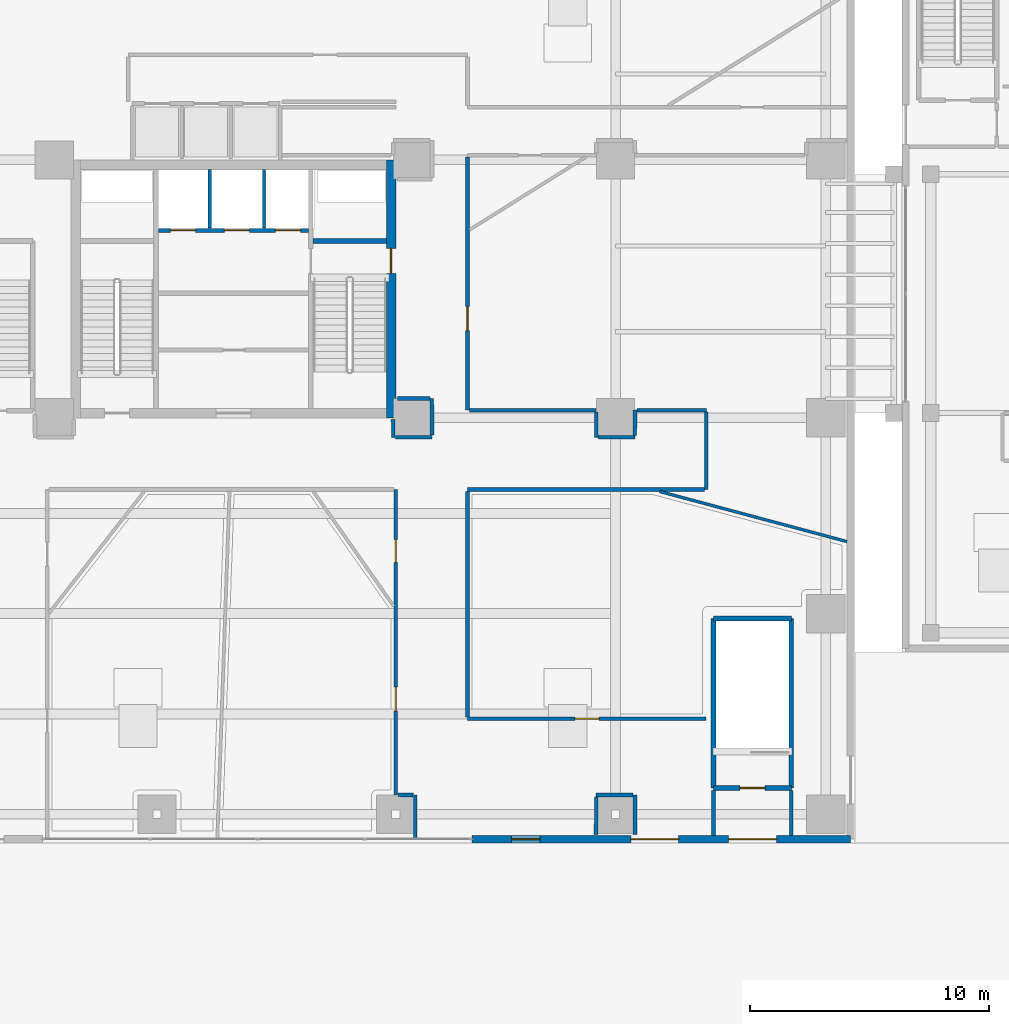
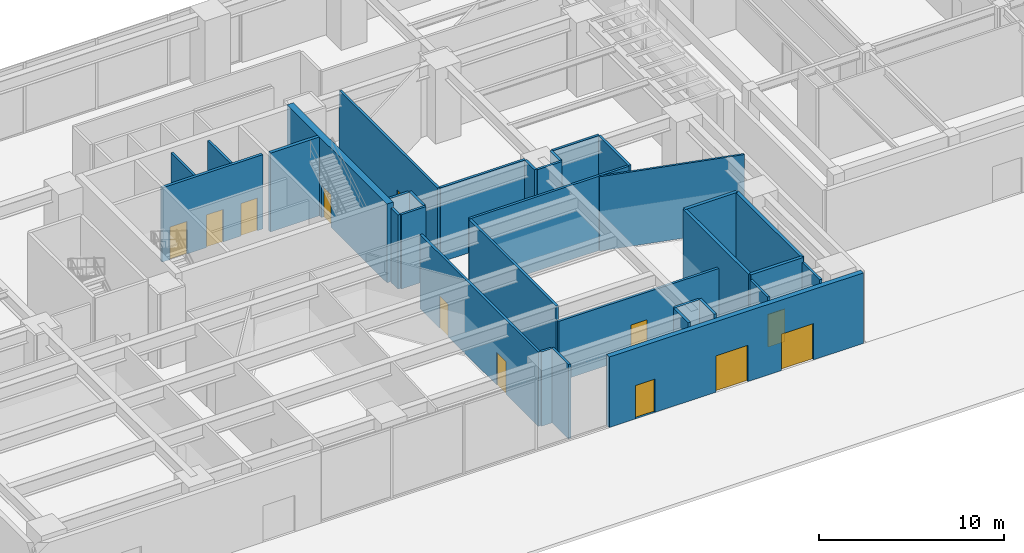
# One storey, part 19 of 28: 33 walls, 12 doors, 12 openings.
"""IFC4 building model written with IfcOpenShell, lengths in metres."""

from ifc_helpers import new_model, si_unit, direction, frame, frame_2d, origin, place, context, subcontext, project, spatial, rectangle, extrude, source, transform, mapped, material, layer, layer_set, type_object, type_shapes, element, fill, save


model = new_model("IFC4")

# Units and contexts
model_context = context("Model", 3, precision=1e-05, world=origin(), true_north=direction((0.0, 1.0)))
body_context = subcontext(model_context, "Body", "Model", "MODEL_VIEW")
ifc_project = project(units=[si_unit("LENGTHUNIT", "METRE"), si_unit("AREAUNIT", "SQUARE_METRE"), si_unit("VOLUMEUNIT", "CUBIC_METRE"), si_unit("PLANEANGLEUNIT", "RADIAN"), si_unit("MASSUNIT", "GRAM", prefix="KILO")], contexts=[model_context])

# Site, building, storey
site_placement = place(None, origin())
site = spatial("IfcSite", under=ifc_project, at=site_placement, CompositionType="ELEMENT")
building_placement = place(site_placement, origin())
building = spatial("IfcBuilding", under=site, at=building_placement, Name="Talar Marvaseh", CompositionType="ELEMENT")
storey_placement = place(building_placement, origin())
storey = spatial("IfcBuildingStorey", under=building, at=storey_placement, Name="L00", CompositionType="ELEMENT", Elevation=0.0)

# Wall, openings, doors
ifc_material_1 = material(Name="Precast concrete C45/55", Category="concrete")
ifc_layer_1 = layer(ifc_material_1, 0.31005859375)
ifc_layer_set_1 = layer_set([ifc_layer_1], Name="Precast concrete C45/55")
wall_type_1 = type_object("IfcWallType", Name="Architectural Precast Limestone Podium Facade Wall 310", PredefinedType="SOLIDWALL", material=ifc_layer_set_1)
wall_1_placement = place(storey_placement, frame((51.840087890625, 8.159912109375, 0.0), z_axis=(0.0, 0.0, 1.0), x_axis=(-1.0, 0.0, 0.0)))
wall_1 = element("IfcWall", 1, at=wall_1_placement, inside=storey, type_object=wall_type_1, Name="L00 Podium South-East Facade Wall", PredefinedType="SOLIDWALL", context=body_context, shape_type="SweptSolid", body=[
    extrude(rectangle(XDim=15.840087890625, YDim=0.31005859375, at=frame_2d((7.919921875, 0.0))), origin(), (0.0, 0.0, 1.0), 4.64990234375),
])
opening_1_placement = place(wall_1_placement, frame((3.10009765625, 0.0, 0.0)))
opening_1 = element("IfcOpeningElement", 2, at=opening_1_placement, cuts=wall_1, Name="Opening DR-EXT20", PredefinedType="OPENING", context=body_context, shape_type="SweptSolid", body=[
    extrude(rectangle(XDim=2.0, YDim=2.39990234375, at=frame_2d((1.0, 1.199951171875))), frame((0.0, 0.1650390625, 0.0), z_axis=(0.0, -1.0, 0.0), x_axis=(1.0, 0.0, 0.0)), (0.0, 0.0, 1.0), 0.330078125),
])
opening_2_placement = place(wall_1_placement, frame((7.199951171875, 0.0, 0.0)))
opening_2 = element("IfcOpeningElement", 3, at=opening_2_placement, cuts=wall_1, Name="Opening DR-EXT20", PredefinedType="OPENING", context=body_context, shape_type="SweptSolid", body=[
    extrude(rectangle(XDim=2.0, YDim=2.39990234375, at=frame_2d((1.0, 1.199951171875))), frame((0.0, 0.1650390625, 0.0), z_axis=(0.0, -1.0, 0.0), x_axis=(1.0, 0.0, 0.0)), (0.0, 0.0, 1.0), 0.330078125),
])
opening_3_placement = place(wall_1_placement, frame((13.0, 0.0, 0.0)))
opening_3 = element("IfcOpeningElement", 4, at=opening_3_placement, cuts=wall_1, Name="Opening DR-FCC12", PredefinedType="OPENING", context=body_context, shape_type="SweptSolid", body=[
    extrude(rectangle(XDim=1.199951171875, YDim=2.199951171875, at=frame_2d((0.60009765625, 1.10009765625))), frame((0.0, 0.1650390625, 0.0), z_axis=(0.0, -1.0, 0.0), x_axis=(1.0, 0.0, 0.0)), (0.0, 0.0, 1.0), 0.330078125),
])
ifc_material_2 = material(Name="Architectural Aluminium", Category="aluminium")
door_type_1 = type_object("IfcDoorType", Name="Ground Plaza Double Egress Entrance Door 2000x2400", OperationType="NOTDEFINED", PredefinedType="DOOR", material=ifc_material_2)
shared_shape_1 = source(origin(), body_context, "Body", "SweptSolid", [
    extrude(rectangle(XDim=2.0, YDim=2.39990234375, at=frame_2d((1.0, 1.199951171875))), frame((0.0, 0.02490234375, 0.0), z_axis=(0.0, -1.0, 0.0), x_axis=(1.0, 0.0, 0.0)), (0.0, 0.0, 1.0), 0.050048828125),
])
type_shapes(door_type_1, [shared_shape_1])
door_1_placement = place(opening_1_placement, origin())
door_1 = element("IfcDoor", 5, at=door_1_placement, inside=storey, type_object=door_type_1, Name="L00 Station South-East Final Exit Door", OperationType="DOUBLE_DOOR_SINGLE_SWING", OverallHeight=2.39990234375, OverallWidth=2.0, PredefinedType="DOOR", context=body_context, shape_type="MappedRepresentation", body=[
    mapped(shared_shape_1, transform((0.0, 0.0, 0.0), x_axis=(1.0, 0.0, 0.0), y_axis=(0.0, 1.0, 0.0), z_axis=(0.0, 0.0, 1.0), scale=1.0)),
])
fill(opening_1, door_1)
door_2_placement = place(opening_2_placement, origin())
door_2 = element("IfcDoor", 6, at=door_2_placement, inside=storey, type_object=door_type_1, Name="L00 Concourse South-East Plaza Exit Door", OperationType="DOUBLE_DOOR_SINGLE_SWING", OverallHeight=2.39990234375, OverallWidth=2.0, PredefinedType="DOOR", context=body_context, shape_type="MappedRepresentation", body=[
    mapped(shared_shape_1, transform((0.0, 0.0, 0.0), x_axis=(1.0, 0.0, 0.0), y_axis=(0.0, 1.0, 0.0), z_axis=(0.0, 0.0, 1.0), scale=1.0)),
])
fill(opening_2, door_2)
ifc_material_3 = material(Name="Fire-Rated Steel Door Leaf", Category="steel")
door_type_2 = type_object("IfcDoorType", Name="Fire Service Command Direct Plaza Door 1200x2200", OperationType="NOTDEFINED", PredefinedType="DOOR", material=ifc_material_3)
shared_shape_2 = source(origin(), body_context, "Body", "SweptSolid", [
    extrude(rectangle(XDim=1.199951171875, YDim=2.199951171875, at=frame_2d((0.60009765625, 1.10009765625))), frame((0.0, 0.02490234375, 0.0), z_axis=(0.0, -1.0, 0.0), x_axis=(1.0, 0.0, 0.0)), (0.0, 0.0, 1.0), 0.050048828125),
])
type_shapes(door_type_2, [shared_shape_2])
door_3_placement = place(opening_3_placement, origin())
door_3 = element("IfcDoor", 7, at=door_3_placement, inside=storey, type_object=door_type_2, Name="L00 Fire Command Centre Plaza Entrance Door", OperationType="SINGLE_SWING_LEFT", OverallHeight=2.199951171875, OverallWidth=1.199951171875, PredefinedType="DOOR", context=body_context, shape_type="MappedRepresentation", body=[
    mapped(shared_shape_2, transform((0.0, 0.0, 0.0), x_axis=(1.0, 0.0, 0.0), y_axis=(0.0, 1.0, 0.0), z_axis=(0.0, 0.0, 1.0), scale=1.0)),
])
fill(opening_3, door_3)

ifc_material_4 = material(Name="Gypsum Board Partition Assembly")
ifc_layer_2 = layer(ifc_material_4, 0.155029296875)
ifc_layer_set_2 = layer_set([ifc_layer_2], Name="Gypsum Board Partition Assembly")
wall_type_2 = type_object("IfcWallType", Name="Corridor Fire-Rated Acoustic Partition 155", PredefinedType="PARTITIONING", material=ifc_layer_set_2)
wall_2_placement = place(storey_placement, frame((32.800048828125, 10.014892578125, 0.0), z_axis=(0.0, 0.0, 1.0), x_axis=(0.0, 1.0, 0.0)))
wall_2 = element("IfcWall", 8, at=wall_2_placement, inside=storey, type_object=wall_type_2, Name="L00 Interior Partition Wall", PredefinedType="PARTITIONING", context=body_context, shape_type="SweptSolid", body=[
    extrude(rectangle(XDim=12.78515625, YDim=0.155029296875, at=frame_2d((6.392578125, 0.0))), origin(), (0.0, 0.0, 1.0), 4.89990234375),
])
opening_4_placement = place(wall_2_placement, frame((3.5087890625, 0.0, 0.0)))
opening_4 = element("IfcOpeningElement", 9, at=opening_4_placement, cuts=wall_2, Name="Opening DR-RM100", PredefinedType="OPENING", context=body_context, shape_type="SweptSolid", body=[
    extrude(rectangle(XDim=1.0, YDim=2.14990234375, at=frame_2d((0.5, 1.074951171875))), frame((0.0, 0.08740234375, 0.0), z_axis=(0.0, -1.0, 0.0), x_axis=(1.0, 0.0, 0.0)), (0.0, 0.0, 1.0), 0.175048828125),
])
opening_5_placement = place(wall_2_placement, frame((9.734375, 0.0, 0.0)))
opening_5 = element("IfcOpeningElement", 10, at=opening_5_placement, cuts=wall_2, Name="Opening DR-WC095", PredefinedType="OPENING", context=body_context, shape_type="SweptSolid", body=[
    extrude(rectangle(XDim=0.949951171875, YDim=2.14990234375, at=frame_2d((0.47509765625, 1.074951171875))), frame((0.0, 0.08740234375, 0.0), z_axis=(0.0, -1.0, 0.0), x_axis=(1.0, 0.0, 0.0)), (0.0, 0.0, 1.0), 0.175048828125),
])
ifc_material_5 = material(Name="Acoustic Engineered Oak Timber", Category="wood")
door_type_3 = type_object("IfcDoorType", Name="Washroom and Service Room Door 950x2150", OperationType="NOTDEFINED", PredefinedType="DOOR", material=ifc_material_5)
shared_shape_3 = source(origin(), body_context, "Body", "SweptSolid", [
    extrude(rectangle(XDim=0.949951171875, YDim=2.14990234375, at=frame_2d((0.47509765625, 1.074951171875))), frame((0.0, 0.02490234375, 0.0), z_axis=(0.0, -1.0, 0.0), x_axis=(1.0, 0.0, 0.0)), (0.0, 0.0, 1.0), 0.050048828125),
])
type_shapes(door_type_3, [shared_shape_3])
door_4_placement = place(opening_5_placement, origin())
door_4 = element("IfcDoor", 11, at=door_4_placement, inside=storey, type_object=door_type_3, Name="L00 Accessible WC Door", OperationType="SINGLE_SWING_LEFT", OverallHeight=2.14990234375, OverallWidth=0.949951171875, PredefinedType="DOOR", context=body_context, shape_type="MappedRepresentation", body=[
    mapped(shared_shape_3, transform((0.0, 0.0, 0.0), x_axis=(1.0, 0.0, 0.0), y_axis=(0.0, 1.0, 0.0), z_axis=(0.0, 0.0, 1.0), scale=1.0)),
])
fill(opening_5, door_4)
door_type_4 = type_object("IfcDoorType", Name="Corridor Fire-Rated Gallery Door 1000x2150", OperationType="NOTDEFINED", PredefinedType="DOOR", material=ifc_material_5)
shared_shape_4 = source(origin(), body_context, "Body", "SweptSolid", [
    extrude(rectangle(XDim=1.0, YDim=2.14990234375, at=frame_2d((0.5, 1.074951171875))), frame((0.0, 0.02490234375, 0.0), z_axis=(0.0, -1.0, 0.0), x_axis=(1.0, 0.0, 0.0)), (0.0, 0.0, 1.0), 0.050048828125),
])
type_shapes(door_type_4, [shared_shape_4])
door_5_placement = place(opening_4_placement, origin())
door_5 = element("IfcDoor", 12, at=door_5_placement, inside=storey, type_object=door_type_4, Name="L00 Museum Ticketing and Cloakroom Hall Door", OperationType="SINGLE_SWING_RIGHT", OverallHeight=2.14990234375, OverallWidth=1.0, PredefinedType="DOOR", context=body_context, shape_type="MappedRepresentation", body=[
    mapped(shared_shape_4, transform((0.0, 0.0, 0.0), x_axis=(1.0, 0.0, 0.0), y_axis=(0.0, 1.0, 0.0), z_axis=(0.0, 0.0, 1.0), scale=1.0)),
])
fill(opening_4, door_5)

# Wall, opening, door
wall_3_placement = place(storey_placement, frame((35.800048828125, 36.716552734375, 0.0), z_axis=(0.0, 0.0, 1.0), x_axis=(0.0, -1.0, 0.0)))
wall_3 = element("IfcWall", 13, at=wall_3_placement, inside=storey, type_object=wall_type_2, Name="L00 Interior Partition Wall", PredefinedType="PARTITIONING", context=body_context, shape_type="SweptSolid", body=[
    extrude(rectangle(XDim=10.596435546875, YDim=0.155029296875, at=frame_2d((5.29833984375, 0.0))), origin(), (0.0, 0.0, 1.0), 4.89990234375),
])
opening_6_placement = place(wall_3_placement, frame((6.26220703125, 0.0, 0.0)))
opening_6 = element("IfcOpeningElement", 14, at=opening_6_placement, cuts=wall_3, Name="Opening DR-RM100", PredefinedType="OPENING", context=body_context, shape_type="SweptSolid", body=[
    extrude(rectangle(XDim=1.0, YDim=2.14990234375, at=frame_2d((0.5, 1.074951171875))), frame((0.0, 0.08740234375, 0.0), z_axis=(0.0, -1.0, 0.0), x_axis=(1.0, 0.0, 0.0)), (0.0, 0.0, 1.0), 0.175048828125),
])
door_6_placement = place(opening_6_placement, origin())
door_6 = element("IfcDoor", 15, at=door_6_placement, inside=storey, type_object=door_type_4, Name="L00 Chahar-Bagh Garden Cafe Door", OperationType="SINGLE_SWING_LEFT", OverallHeight=2.14990234375, OverallWidth=1.0, PredefinedType="DOOR", context=body_context, shape_type="MappedRepresentation", body=[
    mapped(shared_shape_4, transform((0.0, 0.0, 0.0), x_axis=(1.0, 0.0, 0.0), y_axis=(0.0, 1.0, 0.0), z_axis=(0.0, 0.0, 1.0), scale=1.0)),
])
fill(opening_6, door_6)

wall_4_placement = place(storey_placement, frame((35.800048828125, 13.199951171875, 0.0), z_axis=(0.0, 0.0, 1.0), x_axis=(1.0, 0.0, 0.0)))
wall_4 = element("IfcWall", 16, at=wall_4_placement, inside=storey, type_object=wall_type_2, Name="L00 Interior Partition Wall", PredefinedType="PARTITIONING", context=body_context, shape_type="SweptSolid", body=[
    extrude(rectangle(XDim=9.97998046875, YDim=0.155029296875, at=frame_2d((4.989990234375, 0.0))), origin(), (0.0, 0.0, 1.0), 3.962890625),
])
opening_7_placement = place(wall_4_placement, frame((4.510986328125, 0.0, 0.0)))
opening_7 = element("IfcOpeningElement", 17, at=opening_7_placement, cuts=wall_4, Name="Opening DR-RM100", PredefinedType="OPENING", context=body_context, shape_type="SweptSolid", body=[
    extrude(rectangle(XDim=1.0, YDim=2.14990234375, at=frame_2d((0.5, 1.074951171875))), frame((0.0, 0.08740234375, 0.0), z_axis=(0.0, -1.0, 0.0), x_axis=(1.0, 0.0, 0.0)), (0.0, 0.0, 1.0), 0.175048828125),
])
door_7_placement = place(opening_7_placement, origin())
door_7 = element("IfcDoor", 18, at=door_7_placement, inside=storey, type_object=door_type_4, Name="L00 Museum Bookshop and Craft Boutique Door", OperationType="SINGLE_SWING_RIGHT", OverallHeight=2.14990234375, OverallWidth=1.0, PredefinedType="DOOR", context=body_context, shape_type="MappedRepresentation", body=[
    mapped(shared_shape_4, transform((0.0, 0.0, 0.0), x_axis=(1.0, 0.0, 0.0), y_axis=(0.0, 1.0, 0.0), z_axis=(0.0, 0.0, 1.0), scale=1.0)),
])
fill(opening_7, door_7)

# Walls
for number, where, z_axis, x_axis, name in (
    (19, (46.10009765625, 8.31005859375, 0.0), (0.0, 0.0, 1.0), (0.0, 1.0, 0.0), "L00 Interior Partition Wall"),
    (20, (49.360107421875, 8.31005859375, 0.0), (0.0, 0.0, 1.0), (0.0, 1.0, 0.0), "L00 Interior Partition Wall"),
):
    element("IfcWall", number, at=place(storey_placement, frame(where, z_axis=z_axis, x_axis=x_axis)), inside=storey, type_object=wall_type_2, Name=name, PredefinedType="PARTITIONING", context=body_context, shape_type="SweptSolid", body=[
        extrude(rectangle(XDim=1.884033203125, YDim=0.155029296875, at=frame_2d((0.94189453125, 0.0))), origin(), (0.0, 0.0, 1.0), 4.89990234375),
    ])
wall_5_placement = place(storey_placement, frame((33.615234375, 8.18505859375, 0.0), z_axis=(0.0, 0.0, 1.0), x_axis=(-0.001071954362, 0.999999425457, 0.0)))
element("IfcWall", 21, at=wall_5_placement, inside=storey, type_object=wall_type_2, Name="L00 Interior Partition Wall", PredefinedType="PARTITIONING", context=body_context, shape_type="SweptSolid", body=[
    extrude(rectangle(XDim=1.822021484375, YDim=0.155029296875, at=frame_2d((0.9111328125, 0.0))), origin(), (0.0, 0.0, 1.0), 4.89990234375),
])
wall_6_placement = place(storey_placement, frame((33.52978515625, 10.0078125, 0.0), z_axis=(0.0, 0.0, 1.0), x_axis=(-0.999951763322, 0.009821966697, 0.0)))
element("IfcWall", 22, at=wall_6_placement, inside=storey, type_object=wall_type_2, Name="L00 Interior Partition Wall", PredefinedType="PARTITIONING", context=body_context, shape_type="SweptSolid", body=[
    extrude(rectangle(XDim=0.646240234375, YDim=0.155029296875, at=frame_2d((0.3232421875, 0.0))), origin(), (0.0, 0.0, 1.0), 4.89990234375),
])
wall_7_placement = place(storey_placement, frame((32.68505859375, 25.72998046875, 0.0), z_axis=(0.0, 0.0, 1.0), x_axis=(0.010511902743, -0.999944748424, 0.0)))
element("IfcWall", 23, at=wall_7_placement, inside=storey, type_object=wall_type_2, Name="L00 Interior Partition Wall", PredefinedType="PARTITIONING", context=body_context, shape_type="SweptSolid", body=[
    extrude(rectangle(XDim=0.7431640625, YDim=0.155029296875, at=frame_2d((0.37158203125, 0.0))), origin(), (0.0, 0.0, 1.0), 4.89990234375),
])
wall_8_placement = place(storey_placement, frame((32.7763671875, 24.987060546875, 0.0), z_axis=(0.0, 0.0, 1.0), x_axis=(0.99999752144, 0.002226457586, 0.0)))
element("IfcWall", 24, at=wall_8_placement, inside=storey, type_object=wall_type_2, Name="L00 Interior Partition Wall", PredefinedType="PARTITIONING", context=body_context, shape_type="SweptSolid", body=[
    extrude(rectangle(XDim=1.53515625, YDim=0.155029296875, at=frame_2d((0.767578125, 0.0))), origin(), (0.0, 0.0, 1.0), 4.89990234375),
])
wall_9_placement = place(storey_placement, frame((34.3115234375, 25.073974609375, 0.0), z_axis=(0.0, 0.0, 1.0), x_axis=(-0.000635525769, 0.999999798053, 0.0)))
element("IfcWall", 25, at=wall_9_placement, inside=storey, type_object=wall_type_2, Name="L00 Interior Partition Wall", PredefinedType="PARTITIONING", context=body_context, shape_type="SweptSolid", body=[
    extrude(rectangle(XDim=1.53662109375, YDim=0.155029296875, at=frame_2d((0.768310546875, 0.0))), origin(), (0.0, 0.0, 1.0), 4.89990234375),
])
wall_10_placement = place(storey_placement, frame((34.22705078125, 26.61083984375, 0.0), z_axis=(0.0, 0.0, 1.0), x_axis=(-0.999995856473, 0.002878721429, 0.0)))
element("IfcWall", 26, at=wall_10_placement, inside=storey, type_object=wall_type_2, Name="L00 Interior Partition Wall", PredefinedType="PARTITIONING", context=body_context, shape_type="SweptSolid", body=[
    extrude(rectangle(XDim=1.35693359375, YDim=0.155029296875, at=frame_2d((0.678466796875, 0.0))), origin(), (0.0, 0.0, 1.0), 4.89990234375),
])
wall_11_placement = place(storey_placement, frame((35.883544921875, 26.1201171875, 0.0), z_axis=(0.0, 0.0, 1.0), x_axis=(1.0, 0.0, 0.0)))
element("IfcWall", 27, at=wall_11_placement, inside=storey, type_object=wall_type_2, Name="L00 Interior Partition Wall", PredefinedType="PARTITIONING", context=body_context, shape_type="SweptSolid", body=[
    extrude(rectangle(XDim=5.301513671875, YDim=0.155029296875, at=frame_2d((2.65087890625, 0.0))), origin(), (0.0, 0.0, 1.0), 4.89990234375),
])
wall_12_placement = place(storey_placement, frame((41.18603515625, 26.03662109375, 0.0), z_axis=(0.0, 0.0, 1.0), x_axis=(0.013233110982, -0.999912438553, 0.0)))
element("IfcWall", 28, at=wall_12_placement, inside=storey, type_object=wall_type_2, Name="L00 Interior Partition Wall", PredefinedType="PARTITIONING", context=body_context, shape_type="SweptSolid", body=[
    extrude(rectangle(XDim=1.051513671875, YDim=0.155029296875, at=frame_2d((0.52587890625, 0.0))), origin(), (0.0, 0.0, 1.0), 4.89990234375),
])
wall_13_placement = place(storey_placement, frame((41.283447265625, 24.985107421875, 0.0), z_axis=(0.0, 0.0, 1.0), x_axis=(0.999998718362, 0.001601022604, 0.0)))
element("IfcWall", 29, at=wall_13_placement, inside=storey, type_object=wall_type_2, Name="L00 Interior Partition Wall", PredefinedType="PARTITIONING", context=body_context, shape_type="SweptSolid", body=[
    extrude(rectangle(XDim=1.52490234375, YDim=0.155029296875, at=frame_2d((0.762451171875, 0.0))), origin(), (0.0, 0.0, 1.0), 4.89990234375),
])
wall_14_placement = place(storey_placement, frame((42.808837890625, 25.071044921875, 0.0), z_axis=(0.0, 0.0, 1.0), x_axis=(0.005817914102, 0.999983075795, 0.0)))
element("IfcWall", 30, at=wall_14_placement, inside=storey, type_object=wall_type_2, Name="L00 Interior Partition Wall", PredefinedType="PARTITIONING", context=body_context, shape_type="SweptSolid", body=[
    extrude(rectangle(XDim=1.049072265625, YDim=0.155029296875, at=frame_2d((0.5244140625, 0.0))), origin(), (0.0, 0.0, 1.0), 4.89990234375),
])
wall_15_placement = place(storey_placement, frame((42.8984375, 26.1201171875, 0.0), z_axis=(0.0, 0.0, 1.0), x_axis=(1.0, 0.0, 0.0)))
element("IfcWall", 31, at=wall_15_placement, inside=storey, type_object=wall_type_2, Name="L00 Interior Partition Wall", PredefinedType="PARTITIONING", context=body_context, shape_type="SweptSolid", body=[
    extrude(rectangle(XDim=2.901611328125, YDim=0.155029296875, at=frame_2d((1.45068359375, 0.0))), origin(), (0.0, 0.0, 1.0), 4.89990234375),
])
wall_16_placement = place(storey_placement, frame((45.800048828125, 26.03662109375, 0.0), z_axis=(0.0, 0.0, 1.0), x_axis=(0.0, -1.0, 0.0)))
element("IfcWall", 32, at=wall_16_placement, inside=storey, type_object=wall_type_2, Name="L00 Interior Partition Wall", PredefinedType="PARTITIONING", context=body_context, shape_type="SweptSolid", body=[
    extrude(rectangle(XDim=3.236572265625, YDim=0.155029296875, at=frame_2d((1.6181640625, 0.0))), origin(), (0.0, 0.0, 1.0), 4.89990234375),
])
wall_17_placement = place(storey_placement, frame((45.716552734375, 22.800048828125, 0.0), z_axis=(0.0, 0.0, 1.0), x_axis=(-1.0, 0.0, 0.0)))
element("IfcWall", 33, at=wall_17_placement, inside=storey, type_object=wall_type_2, Name="L00 Interior Partition Wall", PredefinedType="PARTITIONING", context=body_context, shape_type="SweptSolid", body=[
    extrude(rectangle(XDim=9.91650390625, YDim=0.155029296875, at=frame_2d((4.958251953125, 0.0))), origin(), (0.0, 0.0, 1.0), 4.89990234375),
])
wall_18_placement = place(storey_placement, frame((35.800048828125, 22.716552734375, 0.0), z_axis=(0.0, 0.0, 1.0), x_axis=(0.0, -1.0, 0.0)))
element("IfcWall", 34, at=wall_18_placement, inside=storey, type_object=wall_type_2, Name="L00 Interior Partition Wall", PredefinedType="PARTITIONING", context=body_context, shape_type="SweptSolid", body=[
    extrude(rectangle(XDim=9.43310546875, YDim=0.155029296875, at=frame_2d((4.716552734375, 0.0))), origin(), (0.0, 0.0, 1.0), 4.89990234375),
])
wall_19_placement = place(storey_placement, frame((42.810546875, 8.35009765625, 0.0), z_axis=(0.0, 0.0, 1.0), x_axis=(0.0, 1.0, 0.0)))
element("IfcWall", 35, at=wall_19_placement, inside=storey, type_object=wall_type_2, Name="L00 Interior Partition Wall", PredefinedType="PARTITIONING", context=body_context, shape_type="SweptSolid", body=[
    extrude(rectangle(XDim=1.660400390625, YDim=0.155029296875, at=frame_2d((0.830078125, 0.0))), origin(), (0.0, 0.0, 1.0), 4.89990234375),
])
wall_20_placement = place(storey_placement, frame((42.72705078125, 10.010498046875, 0.0), z_axis=(0.0, 0.0, 1.0), x_axis=(-1.0, 0.0, 0.0)))
element("IfcWall", 36, at=wall_20_placement, inside=storey, type_object=wall_type_2, Name="L00 Interior Partition Wall", PredefinedType="PARTITIONING", context=body_context, shape_type="SweptSolid", body=[
    extrude(rectangle(XDim=1.53759765625, YDim=0.155029296875, at=frame_2d((0.768798828125, 0.0))), origin(), (0.0, 0.0, 1.0), 4.89990234375),
])
wall_21_placement = place(storey_placement, frame((41.189208984375, 9.927001953125, 0.0), z_axis=(0.0, 0.0, 1.0), x_axis=(-0.002786798282, -0.99999611687, 0.0)))
element("IfcWall", 37, at=wall_21_placement, inside=storey, type_object=wall_type_2, Name="L00 Interior Partition Wall", PredefinedType="PARTITIONING", context=body_context, shape_type="SweptSolid", body=[
    extrude(rectangle(XDim=1.576904296875, YDim=0.155029296875, at=frame_2d((0.78857421875, 0.0))), origin(), (0.0, 0.0, 1.0), 4.89990234375),
])
ifc_layer_3 = layer(ifc_material_4, 0.1201171875)
ifc_layer_set_3 = layer_set([ifc_layer_3], Name="Gypsum Board Partition Assembly")
wall_type_3 = type_object("IfcWallType", Name="Demountable Studio Room Partition 120", PredefinedType="PARTITIONING", material=ifc_layer_set_3)
wall_22_placement = place(storey_placement, frame((43.852294921875, 22.716552734375, 0.0), z_axis=(0.0, 0.0, 1.0), x_axis=(0.966038375529, -0.258398639712, 0.0)))
element("IfcWall", 38, at=wall_22_placement, inside=storey, type_object=wall_type_3, Name="L00 Interior Partition Wall", PredefinedType="PARTITIONING", context=body_context, shape_type="SweptSolid", body=[
    extrude(rectangle(XDim=8.11328125, YDim=0.1201171875, at=frame_2d((4.056640625, 0.0))), origin(), (0.0, 0.0, 1.0), 4.89990234375),
])
ifc_layer_4 = layer(ifc_material_1, 0.14501953125)
ifc_layer_set_4 = layer_set([ifc_layer_4], Name="Precast concrete C45/55")
wall_type_4 = type_object("IfcWallType", Name="Fire-Rated Lift Divider Wall 145", PredefinedType="SOLIDWALL", material=ifc_layer_set_4)
for number, where, z_axis, x_axis, name in (
    (39, (25.0, 33.743408203125, 0.0), (0.0, 0.0, 1.0), (0.0, 1.0, 0.0), "L00 FFL-1/FFL-2 Divider"),
    (40, (27.280029296875, 33.743408203125, 0.0), (0.0, 0.0, 1.0), (0.0, 1.0, 0.0), "L00 FFL-2/SVL-1 Divider"),
):
    element("IfcWall", number, at=place(storey_placement, frame(where, z_axis=z_axis, x_axis=x_axis)), inside=storey, type_object=wall_type_4, Name=name, PredefinedType="SOLIDWALL", context=body_context, shape_type="SweptSolid", body=[
        extrude(rectangle(XDim=2.45654296875, YDim=0.14501953125, at=frame_2d((1.228271484375, 0.0))), origin(), (0.0, 0.0, 1.0), 4.89990234375),
    ])

# Wall, openings, doors
ifc_layer_5 = layer(ifc_material_1, 0.175048828125)
ifc_layer_set_5 = layer_set([ifc_layer_5], Name="Precast concrete C45/55")
wall_type_5 = type_object("IfcWallType", Name="Fire-Rated Lift Hoistway Enclosure Wall 175", PredefinedType="SOLIDWALL", material=ifc_layer_set_5)
wall_23_placement = place(storey_placement, frame((22.860107421875, 33.64990234375, 0.0), z_axis=(0.0, 0.0, 1.0), x_axis=(1.0, 0.0, 0.0)))
wall_23 = element("IfcWall", 41, at=wall_23_placement, inside=storey, type_object=wall_type_5, Name="L00 Firefighting and Service Lift Front Wall", PredefinedType="SOLIDWALL", context=body_context, shape_type="SweptSolid", body=[
    extrude(rectangle(XDim=6.27978515625, YDim=0.175048828125, at=frame_2d((3.139892578125, 0.0))), origin(), (0.0, 0.0, 1.0), 4.89990234375),
])
opening_8_placement = place(wall_23_placement, frame((0.5, 0.0, 0.0)))
opening_8 = element("IfcOpeningElement", 42, at=opening_8_placement, cuts=wall_23, Name="Opening LD-FF1", PredefinedType="OPENING", context=body_context, shape_type="SweptSolid", body=[
    extrude(rectangle(XDim=1.050048828125, YDim=2.14990234375, at=frame_2d((0.52490234375, 1.074951171875))), frame((0.0, 0.09765625, 0.0), z_axis=(0.0, -1.0, 0.0), x_axis=(1.0, 0.0, 0.0)), (0.0, 0.0, 1.0), 0.195068359375),
])
opening_9_placement = place(wall_23_placement, frame((2.760009765625, 0.0, 0.0)))
opening_9 = element("IfcOpeningElement", 43, at=opening_9_placement, cuts=wall_23, Name="Opening LD-FF2", PredefinedType="OPENING", context=body_context, shape_type="SweptSolid", body=[
    extrude(rectangle(XDim=1.050048828125, YDim=2.14990234375, at=frame_2d((0.52490234375, 1.074951171875))), frame((0.0, 0.09765625, 0.0), z_axis=(0.0, -1.0, 0.0), x_axis=(1.0, 0.0, 0.0)), (0.0, 0.0, 1.0), 0.195068359375),
])
opening_10_placement = place(wall_23_placement, frame((4.89990234375, 0.0, 0.0)))
opening_10 = element("IfcOpeningElement", 44, at=opening_10_placement, cuts=wall_23, Name="Opening LD-SV1", PredefinedType="OPENING", context=body_context, shape_type="SweptSolid", body=[
    extrude(rectangle(XDim=1.050048828125, YDim=2.14990234375, at=frame_2d((0.52490234375, 1.074951171875))), frame((0.0, 0.09765625, 0.0), z_axis=(0.0, -1.0, 0.0), x_axis=(1.0, 0.0, 0.0)), (0.0, 0.0, 1.0), 0.195068359375),
])
ifc_material_6 = material(Name="Stainless Steel Grade 316", Category="steel")
door_type_5 = type_object("IfcDoorType", Name="Automatic Sliding Lift Landing Door 1050x2150", OperationType="NOTDEFINED", PredefinedType="DOOR", material=ifc_material_6)
shared_shape_5 = source(origin(), body_context, "Body", "SweptSolid", [
    extrude(rectangle(XDim=1.050048828125, YDim=2.14990234375, at=frame_2d((0.52490234375, 1.074951171875))), frame((0.0, 0.02490234375, 0.0), z_axis=(0.0, -1.0, 0.0), x_axis=(1.0, 0.0, 0.0)), (0.0, 0.0, 1.0), 0.050048828125),
])
type_shapes(door_type_5, [shared_shape_5])
door_8_placement = place(opening_8_placement, origin())
door_8 = element("IfcDoor", 45, at=door_8_placement, inside=storey, type_object=door_type_5, Name="L00 Lift FFL-1 Sliding Landing Door", OperationType="SLIDING_TO_LEFT", OverallHeight=2.14990234375, OverallWidth=1.050048828125, PredefinedType="DOOR", context=body_context, shape_type="MappedRepresentation", body=[
    mapped(shared_shape_5, transform((0.0, 0.0, 0.0), x_axis=(1.0, 0.0, 0.0), y_axis=(0.0, 1.0, 0.0), z_axis=(0.0, 0.0, 1.0), scale=1.0)),
])
fill(opening_8, door_8)
door_9_placement = place(opening_9_placement, origin())
door_9 = element("IfcDoor", 46, at=door_9_placement, inside=storey, type_object=door_type_5, Name="L00 Lift FFL-2 Sliding Landing Door", OperationType="SLIDING_TO_LEFT", OverallHeight=2.14990234375, OverallWidth=1.050048828125, PredefinedType="DOOR", context=body_context, shape_type="MappedRepresentation", body=[
    mapped(shared_shape_5, transform((0.0, 0.0, 0.0), x_axis=(1.0, 0.0, 0.0), y_axis=(0.0, 1.0, 0.0), z_axis=(0.0, 0.0, 1.0), scale=1.0)),
])
fill(opening_9, door_9)
door_10_placement = place(opening_10_placement, origin())
door_10 = element("IfcDoor", 47, at=door_10_placement, inside=storey, type_object=door_type_5, Name="L00 Lift SVL-1 Sliding Landing Door", OperationType="SLIDING_TO_LEFT", OverallHeight=2.14990234375, OverallWidth=1.050048828125, PredefinedType="DOOR", context=body_context, shape_type="MappedRepresentation", body=[
    mapped(shared_shape_5, transform((0.0, 0.0, 0.0), x_axis=(1.0, 0.0, 0.0), y_axis=(0.0, 1.0, 0.0), z_axis=(0.0, 0.0, 1.0), scale=1.0)),
])
fill(opening_10, door_10)

# Wall, opening, door
ifc_material_7 = material(Name="Concrete C70/85", Category="concrete")
ifc_layer_6 = layer(ifc_material_7, 0.39990234375)
ifc_layer_set_6 = layer_set([ifc_layer_6], Name="Concrete C70/85")
wall_type_6 = type_object("IfcWallType", Name="Lower Core Reinforced Concrete Shear Wall 400", PredefinedType="SHEAR", material=ifc_layer_set_6)
wall_24_placement = place(storey_placement, frame((32.60009765625, 36.60009765625, 0.0), z_axis=(0.0, 0.0, 1.0), x_axis=(0.0, -1.0, 0.0)))
wall_24 = element("IfcWall", 48, at=wall_24_placement, inside=storey, type_object=wall_type_6, Name="L00 East Core Shear Wall", PredefinedType="SHEAR", context=body_context, shape_type="SweptSolid", body=[
    extrude(rectangle(XDim=10.800048828125, YDim=0.39990234375, at=frame_2d((5.39990234375, 0.0))), origin(), (0.0, 0.0, 1.0), 5.199951171875),
])
opening_11_placement = place(wall_24_placement, frame((3.699951171875, 0.0, 0.0)))
opening_11 = element("IfcOpeningElement", 49, at=opening_11_placement, cuts=wall_24, Name="Opening DR-ST105", PredefinedType="OPENING", context=body_context, shape_type="SweptSolid", body=[
    extrude(rectangle(XDim=1.050048828125, YDim=2.14990234375, at=frame_2d((0.52490234375, 1.074951171875))), frame((0.0, 0.2099609375, 0.0), z_axis=(0.0, -1.0, 0.0), x_axis=(1.0, 0.0, 0.0)), (0.0, 0.0, 1.0), 0.419921875),
])
door_type_6 = type_object("IfcDoorType", Name="Protected Exit Stair Fire Door 1050x2150", OperationType="NOTDEFINED", PredefinedType="DOOR", material=ifc_material_3)
shared_shape_6 = source(origin(), body_context, "Body", "SweptSolid", [
    extrude(rectangle(XDim=1.050048828125, YDim=2.14990234375, at=frame_2d((0.52490234375, 1.074951171875))), frame((0.0, 0.02490234375, 0.0), z_axis=(0.0, -1.0, 0.0), x_axis=(1.0, 0.0, 0.0)), (0.0, 0.0, 1.0), 0.050048828125),
])
type_shapes(door_type_6, [shared_shape_6])
door_11_placement = place(opening_11_placement, origin())
door_11 = element("IfcDoor", 50, at=door_11_placement, inside=storey, type_object=door_type_6, Name="L00 Stair ST-2 Corridor Exit Door", OperationType="SINGLE_SWING_LEFT", OverallHeight=2.14990234375, OverallWidth=1.050048828125, PredefinedType="DOOR", context=body_context, shape_type="MappedRepresentation", body=[
    mapped(shared_shape_6, transform((0.0, 0.0, 0.0), x_axis=(1.0, 0.0, 0.0), y_axis=(0.0, 1.0, 0.0), z_axis=(0.0, 0.0, 1.0), scale=1.0)),
])
fill(opening_11, door_11)

# Wall
ifc_material_8 = material(Name="Concrete C50/60", Category="concrete")
ifc_layer_7 = layer(ifc_material_8, 0.199951171875)
ifc_layer_set_7 = layer_set([ifc_layer_7], Name="Concrete C50/60")
wall_type_7 = type_object("IfcWallType", Name="Stair Shaft Structural Concrete Shear Wall 200", PredefinedType="SHEAR", material=ifc_layer_set_7)
wall_25_placement = place(storey_placement, frame((29.340087890625, 33.199951171875, 0.0), z_axis=(0.0, 0.0, 1.0), x_axis=(1.0, 0.0, 0.0)))
element("IfcWall", 51, at=wall_25_placement, inside=storey, type_object=wall_type_7, Name="L00 Stair ST-2 North Shear Wall", PredefinedType="SHEAR", context=body_context, shape_type="SweptSolid", body=[
    extrude(rectangle(XDim=3.059814453125, YDim=0.199951171875, at=frame_2d((1.52978515625, 0.0))), origin(), (0.0, 0.0, 1.0), 5.199951171875),
])

# Wall, opening, door
wall_26_placement = place(storey_placement, frame((49.360107421875, 10.300048828125, 0.0), z_axis=(0.0, 0.0, 1.0), x_axis=(-1.0, 0.0, 0.0)))
wall_26 = element("IfcWall", 52, at=wall_26_placement, inside=storey, type_object=wall_type_7, Name="L00 STN-ST2 South Shear Wall", PredefinedType="SHEAR", context=body_context, shape_type="SweptSolid", body=[
    extrude(rectangle(XDim=3.260009765625, YDim=0.199951171875, at=frame_2d((1.6298828125, 0.0))), origin(), (0.0, 0.0, 1.0), 5.199951171875),
])
opening_12_placement = place(wall_26_placement, frame((1.10009765625, 0.0, 0.0)))
opening_12 = element("IfcOpeningElement", 53, at=opening_12_placement, cuts=wall_26, Name="Opening DR-ST105", PredefinedType="OPENING", context=body_context, shape_type="SweptSolid", body=[
    extrude(rectangle(XDim=1.050048828125, YDim=2.14990234375, at=frame_2d((0.52490234375, 1.074951171875))), frame((0.0, 0.10986328125, 0.0), z_axis=(0.0, -1.0, 0.0), x_axis=(1.0, 0.0, 0.0)), (0.0, 0.0, 1.0), 0.219970703125),
])
door_12_placement = place(opening_12_placement, origin())
door_12 = element("IfcDoor", 54, at=door_12_placement, inside=storey, type_object=door_type_6, Name="L00 STN-ST2 Exit Door", OperationType="SINGLE_SWING_RIGHT", OverallHeight=2.14990234375, OverallWidth=1.050048828125, PredefinedType="DOOR", context=body_context, shape_type="MappedRepresentation", body=[
    mapped(shared_shape_6, transform((0.0, 0.0, 0.0), x_axis=(1.0, 0.0, 0.0), y_axis=(0.0, 1.0, 0.0), z_axis=(0.0, 0.0, 1.0), scale=1.0)),
])
fill(opening_12, door_12)

# Walls
wall_27_placement = place(storey_placement, frame((46.10009765625, 17.39990234375, 0.0), z_axis=(0.0, 0.0, 1.0), x_axis=(1.0, 0.0, 0.0)))
element("IfcWall", 55, at=wall_27_placement, inside=storey, type_object=wall_type_7, Name="L00 STN-ST2 North Shear Wall", PredefinedType="SHEAR", context=body_context, shape_type="SweptSolid", body=[
    extrude(rectangle(XDim=3.260009765625, YDim=0.199951171875, at=frame_2d((1.6298828125, 0.0))), origin(), (0.0, 0.0, 1.0), 5.199951171875),
])
for number, where, z_axis, x_axis, name in (
    (56, (46.10009765625, 10.300048828125, 0.0), (0.0, 0.0, 1.0), (0.0, 1.0, 0.0), "L00 STN-ST2 West Shear Wall"),
    (57, (49.360107421875, 10.300048828125, 0.0), (0.0, 0.0, 1.0), (0.0, 1.0, 0.0), "L00 STN-ST2 East Shear Wall"),
):
    element("IfcWall", number, at=place(storey_placement, frame(where, z_axis=z_axis, x_axis=x_axis)), inside=storey, type_object=wall_type_7, Name=name, PredefinedType="SHEAR", context=body_context, shape_type="SweptSolid", body=[
        extrude(rectangle(XDim=7.099853515625, YDim=0.199951171875, at=frame_2d((3.5498046875, 0.0))), origin(), (0.0, 0.0, 1.0), 5.199951171875),
    ])

save(model, "model.ifc")
